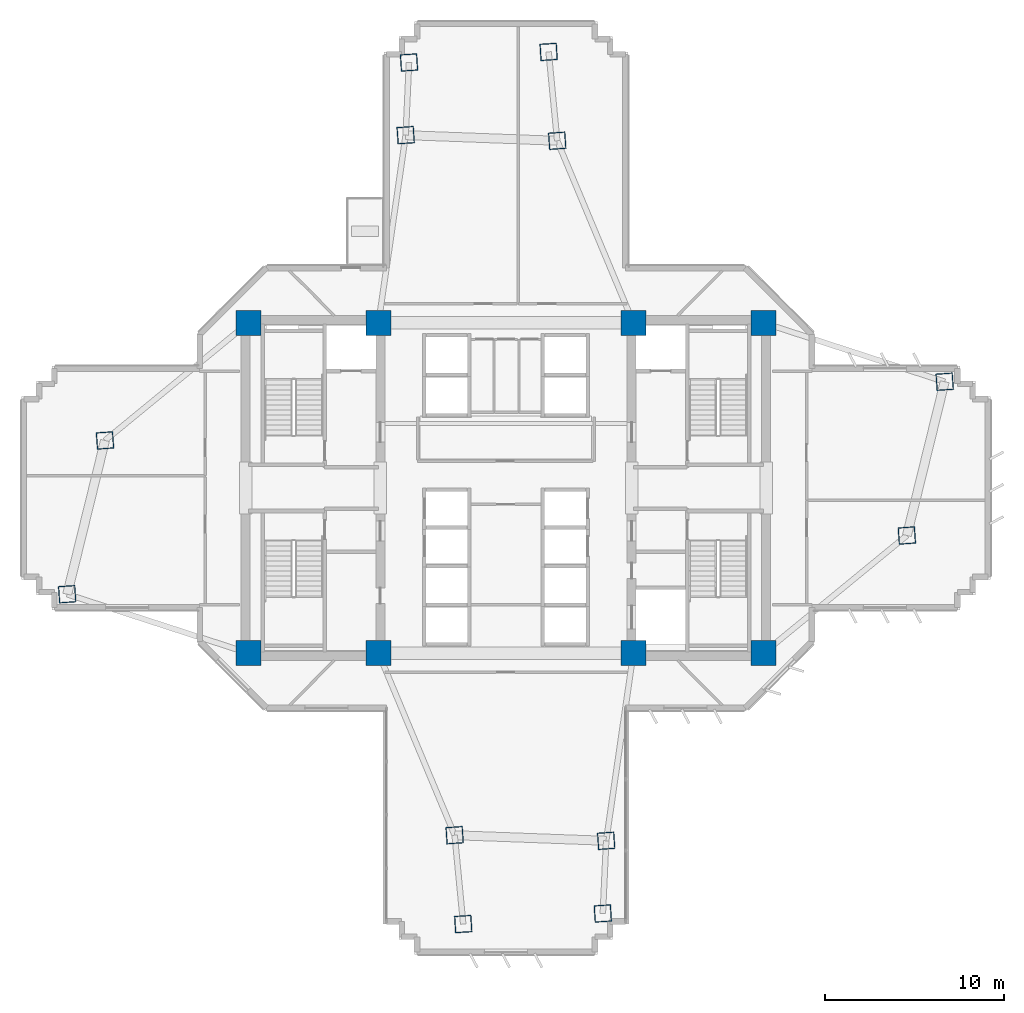
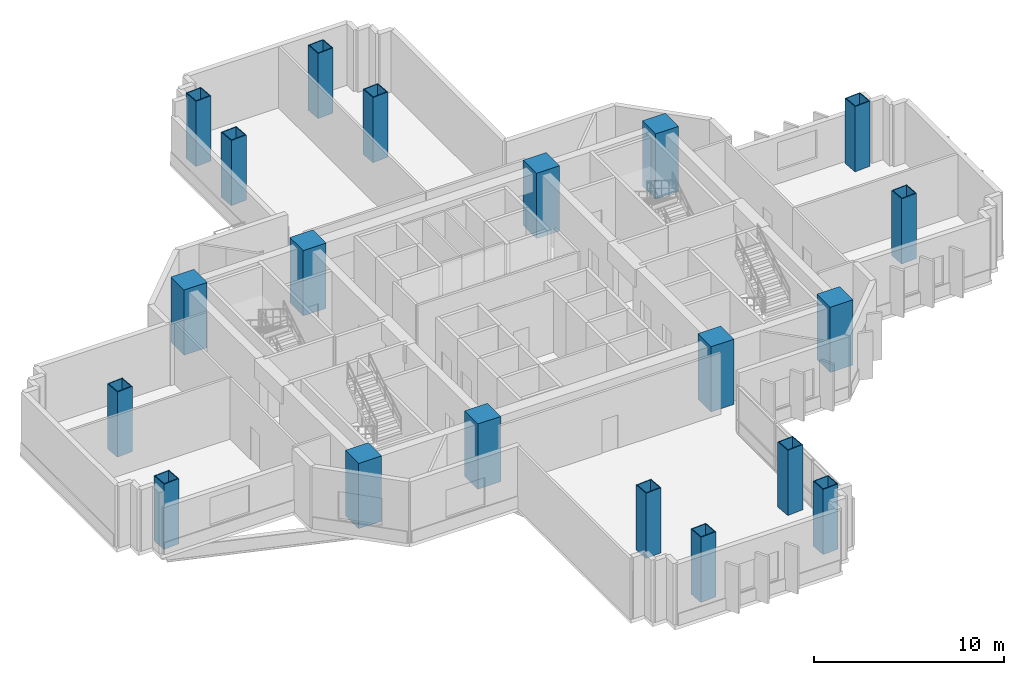
# One storey, part 1 of 14: 20 columns.
"""IFC4 building model written with IfcOpenShell, lengths in metres."""

from ifc_helpers import new_model, si_unit, direction, frame, origin, origin_2d, place, context, subcontext, project, spatial, rectangle, hollow_rectangle, extrude, source, transform, mapped, material, material_profile, profile_set, type_object, element, save


model = new_model("IFC4")

# Units and contexts
model_context = context("Model", 3, precision=1e-05, world=origin(), true_north=direction((0.0, 1.0)))
body_context = subcontext(model_context, "Body", "Model", "MODEL_VIEW")
ifc_project = project(units=[si_unit("LENGTHUNIT", "METRE"), si_unit("AREAUNIT", "SQUARE_METRE"), si_unit("VOLUMEUNIT", "CUBIC_METRE"), si_unit("PLANEANGLEUNIT", "RADIAN"), si_unit("MASSUNIT", "GRAM", prefix="KILO")], contexts=[model_context])

# Site, building, storey
site_placement = place(None, origin())
site = spatial("IfcSite", under=ifc_project, at=site_placement, CompositionType="ELEMENT")
building_placement = place(site_placement, origin())
building = spatial("IfcBuilding", under=site, at=building_placement, Name="Zahravan Cultural Tower", CompositionType="ELEMENT")
storey_placement = place(building_placement, frame((0.0, 0.0, 33.300048828125)))
storey = spatial("IfcBuildingStorey", under=building, at=storey_placement, Name="L06", CompositionType="ELEMENT", Elevation=33.300048828125)

# Columns
ifc_material_1 = material(Name="Concrete C60/75", Category="concrete")
ifc_material_profile_1 = material_profile(ifc_material_1, rectangle(XDim=1.39990234375, YDim=1.39990234375, at=origin_2d()), Name="RC1400X1400")
ifc_profile_set_1 = profile_set([ifc_material_profile_1], Name="Concrete C60/75")
column_type_1 = type_object("IfcColumnType", Name="COL-RC1400", PredefinedType="COLUMN", material=ifc_profile_set_1)
shared_shape_1 = source(origin(), body_context, "Body", "SweptSolid", [
    extrude(rectangle(XDim=1.39990234375, YDim=1.39990234375, at=origin_2d()), origin(), (0.0, 0.0, 1.0), 4.199951171875),
])
for number, where, z_axis, x_axis, name in (
    (1, (21.64990234375, 17.800048828125, 0.0), (0.0, 0.0, 1.0), (1.0, 0.0, 0.0), "L06 Column CC-W1"),
    (2, (28.89990234375, 17.800048828125, 0.0), (0.0, 0.0, 1.0), (1.0, 0.0, 0.0), "L06 Column CC-W2"),
    (3, (21.64990234375, 36.199951171875, 0.0), (0.0, 0.0, 1.0), (1.0, 0.0, 0.0), "L06 Column CC-W3"),
    (4, (28.89990234375, 36.199951171875, 0.0), (0.0, 0.0, 1.0), (1.0, 0.0, 0.0), "L06 Column CC-W4"),
    (5, (43.10009765625, 17.800048828125, 0.0), (0.0, 0.0, 1.0), (1.0, 0.0, 0.0), "L06 Column CC-E1"),
    (6, (50.35009765625, 17.800048828125, 0.0), (0.0, 0.0, 1.0), (1.0, 0.0, 0.0), "L06 Column CC-E2"),
    (7, (43.10009765625, 36.199951171875, 0.0), (0.0, 0.0, 1.0), (1.0, 0.0, 0.0), "L06 Column CC-E3"),
    (8, (50.35009765625, 36.199951171875, 0.0), (0.0, 0.0, 1.0), (1.0, 0.0, 0.0), "L06 Column CC-E4"),
):
    element("IfcColumn", number, at=place(storey_placement, frame(where, z_axis=z_axis, x_axis=x_axis)), inside=storey, type_object=column_type_1, Name=name, PredefinedType="COLUMN", context=body_context, shape_type="MappedRepresentation", body=[
        mapped(shared_shape_1, transform((0.0, 0.0, 0.0), x_axis=(1.0, 0.0, 0.0), y_axis=(0.0, 1.0, 0.0), z_axis=(0.0, 0.0, 1.0), scale=1.0)),
    ])
ifc_material_2 = material(Name="Steel ASTM A572 Grade 50", Category="steel")
ifc_material_profile_2 = material_profile(ifc_material_2, hollow_rectangle(XDim=0.949951171875, YDim=0.949951171875, WallThickness=0.050048828125, at=origin_2d()), Name="BOX950X950X50")
ifc_profile_set_2 = profile_set([ifc_material_profile_2], Name="Steel ASTM A572 Grade 50")
column_type_2 = type_object("IfcColumnType", Name="COL-BOX950", PredefinedType="COLUMN", material=ifc_profile_set_2)
shared_shape_2 = source(origin(), body_context, "Body", "SweptSolid", [
    extrude(hollow_rectangle(XDim=0.949951171875, YDim=0.949951171875, WallThickness=0.050048828125, at=origin_2d()), origin(), (0.0, 0.0, 1.0), 4.199951171875),
])
for number, where, z_axis, x_axis, name in (
    (9, (58.339111328125, 24.351806640625, 0.0), (0.0, 0.0, 1.0), (0.99756405026, 0.069756473744, 0.0), "L06 Column Z1C-E1"),
    (10, (60.446533203125, 32.919677734375, 0.0), (0.0, 0.0, 1.0), (0.99756405026, 0.069756473744, 0.0), "L06 Column Z1C-E2"),
    (11, (38.857421875, 46.346435546875, 0.0), (0.0, 0.0, 1.0), (-0.069756473744, 0.99756405026, 0.0), "L06 Column Z1C-N1"),
    (12, (30.4150390625, 46.658203125, 0.0), (0.0, 0.0, 1.0), (-0.069756473744, 0.99756405026, 0.0), "L06 Column Z1C-N2"),
    (13, (13.660888671875, 29.648193359375, 0.0), (0.0, 0.0, 1.0), (0.99756405026, 0.069756473744, 0.0), "L06 Column Z1C-W1"),
    (14, (11.553466796875, 21.080322265625, 0.0), (0.0, 0.0, 1.0), (0.99756405026, 0.069756473744, 0.0), "L06 Column Z1C-W2"),
    (15, (33.142578125, 7.653564453125, 0.0), (0.0, 0.0, 1.0), (-0.069756473744, 0.99756405026, 0.0), "L06 Column Z1C-S1"),
    (16, (41.5849609375, 7.341796875, 0.0), (0.0, 0.0, 1.0), (-0.069756473744, 0.99756405026, 0.0), "L06 Column Z1C-S2"),
    (17, (38.379150390625, 51.29736328125, 0.0), (0.0, 0.0, 1.0), (-0.062790519529, 0.998026728428, 0.0), "L06 Column Z1T-N1"),
    (18, (30.6005859375, 50.707763671875, 0.0), (0.0, 0.0, 1.0), (-0.062790519529, 0.998026728428, 0.0), "L06 Column Z1T-N2"),
    (19, (33.620849609375, 2.70263671875, 0.0), (0.0, 0.0, 1.0), (-0.062790519529, 0.998026728428, 0.0), "L06 Column Z1T-S1"),
    (20, (41.3994140625, 3.292236328125, 0.0), (0.0, 0.0, 1.0), (-0.062790519529, 0.998026728428, 0.0), "L06 Column Z1T-S2"),
):
    element("IfcColumn", number, at=place(storey_placement, frame(where, z_axis=z_axis, x_axis=x_axis)), inside=storey, type_object=column_type_2, Name=name, PredefinedType="COLUMN", context=body_context, shape_type="MappedRepresentation", body=[
        mapped(shared_shape_2, transform((0.0, 0.0, 0.0), x_axis=(1.0, 0.0, 0.0), y_axis=(0.0, 1.0, 0.0), z_axis=(0.0, 0.0, 1.0), scale=1.0)),
    ])

save(model, "model.ifc")
